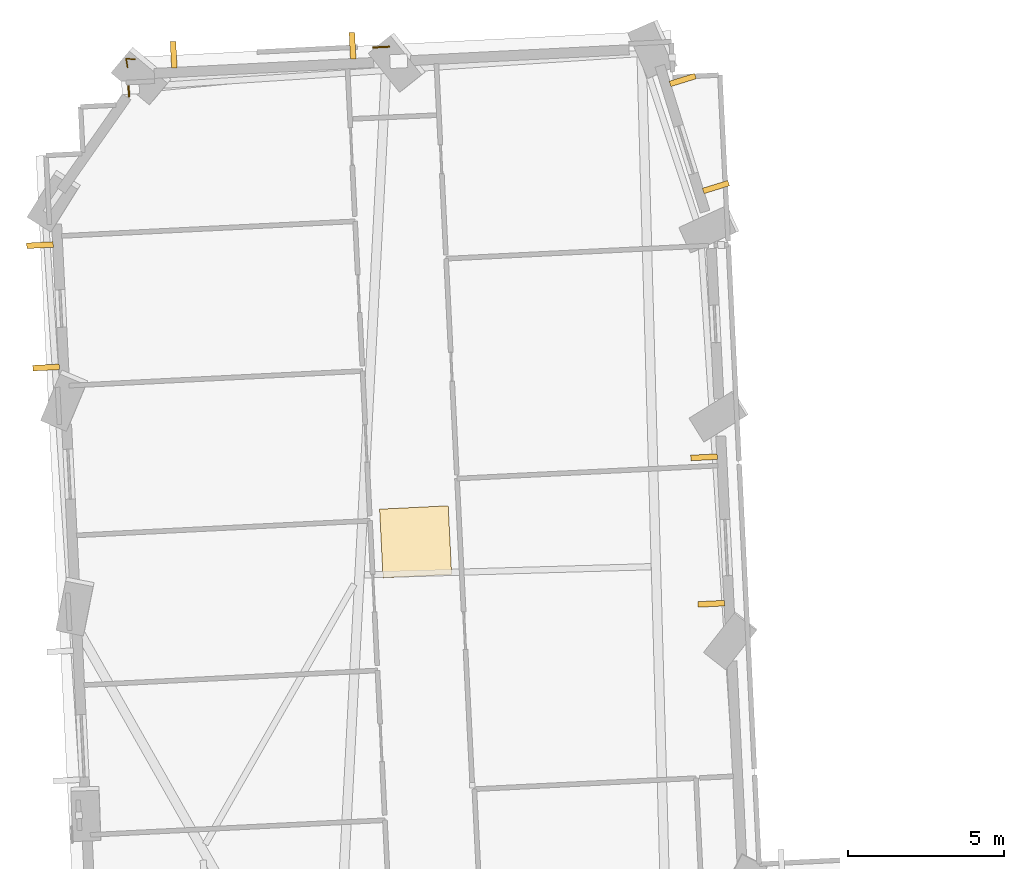
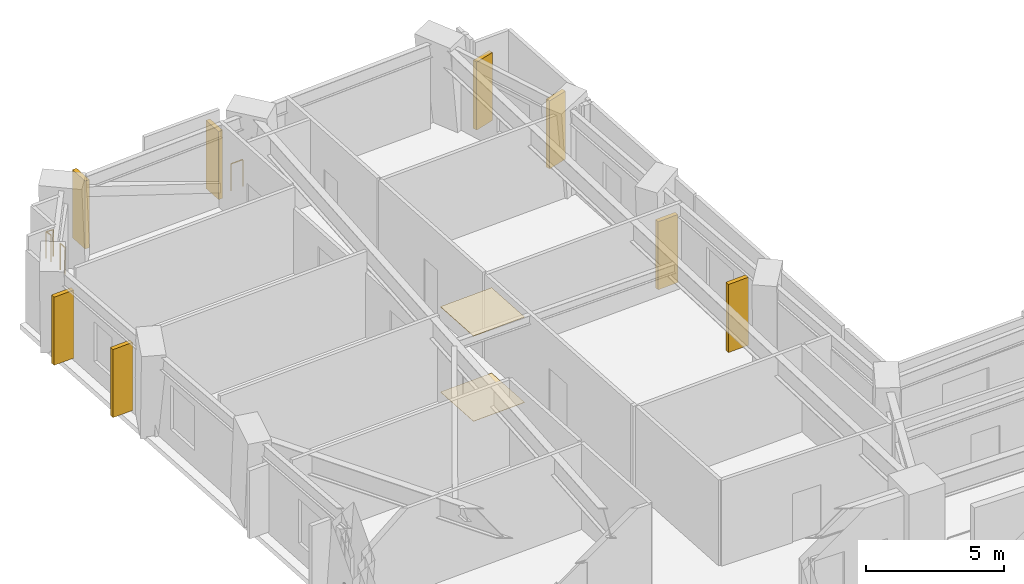
# One storey, part 15 of 15: 8 shading devices, 3 railings, 2 coverings.
"""IFC4 building model written with IfcOpenShell, lengths in metres."""

from ifc_helpers import new_model, si_unit, direction, frame, origin, origin_2d, place, context, subcontext, project, spatial, rectangle, circle, extrude, material, layer, layer_set, type_object, element, save


model = new_model("IFC4")

# Units and contexts
model_context = context("Model", 3, precision=1e-05, world=origin(), true_north=direction((0.0, 1.0)))
body_context = subcontext(model_context, "Body", "Model", "MODEL_VIEW")
ifc_project = project(units=[si_unit("LENGTHUNIT", "METRE"), si_unit("AREAUNIT", "SQUARE_METRE"), si_unit("VOLUMEUNIT", "CUBIC_METRE"), si_unit("PLANEANGLEUNIT", "RADIAN"), si_unit("MASSUNIT", "GRAM", prefix="KILO")], contexts=[model_context])

# Site, building, storey
site_placement = place(None, origin())
site = spatial("IfcSite", under=ifc_project, at=site_placement, CompositionType="ELEMENT")
building_placement = place(site_placement, origin())
building = spatial("IfcBuilding", under=site, at=building_placement, Name="Gaonmaruhae Medical Tower", CompositionType="ELEMENT")
storey_placement = place(building_placement, frame((0.0, 0.0, 35.0)))
storey = spatial("IfcBuildingStorey", under=building, at=storey_placement, Name="L07", CompositionType="ELEMENT", Elevation=35.0)

# Coverings
ifc_material_1 = material(Name="Acoustic mineral ceiling tile", Category="finish")
ifc_layer_1 = layer(ifc_material_1, 0.02490234375)
ifc_layer_set_1 = layer_set([ifc_layer_1], Name="Acoustic mineral ceiling tile")
covering_type_1 = type_object("IfcCoveringType", Name="CLG-01 Antimicrobial Acoustic Mineral Ceiling", PredefinedType="CEILING", material=ifc_layer_set_1)
covering_1_placement = place(storey_placement, frame((16.6455078125, 34.0234375, 3.755126953125), z_axis=(0.0, 0.0, 1.0), x_axis=(0.998763127564, 0.049721373869, 0.0)))
element("IfcCovering", 1, at=covering_1_placement, inside=storey, type_object=covering_type_1, Name="L07 Clinical Corridor Acoustic Ceiling", PredefinedType="CEILING", context=body_context, shape_type="SweptSolid", body=[
    extrude(rectangle(XDim=2.199951171875, YDim=2.199951171875, at=origin_2d()), origin(), (0.0, 0.0, 1.0), 0.02490234375),
])
ifc_material_2 = material(Name="Seamless clinical vinyl flooring", Category="finish")
ifc_layer_2 = layer(ifc_material_2, 0.014892578125)
ifc_layer_set_2 = layer_set([ifc_layer_2], Name="Seamless clinical vinyl flooring")
covering_type_2 = type_object("IfcCoveringType", Name="FLR-01 Seamless Clinical Antistatic Vinyl Flooring", PredefinedType="FLOORING", material=ifc_layer_set_2)
covering_2_placement = place(storey_placement, frame((16.6455078125, 34.0234375, 0.00048828125), z_axis=(0.0, 0.0, 1.0), x_axis=(0.998763127564, 0.049721373869, 0.0)))
element("IfcCovering", 2, at=covering_2_placement, inside=storey, type_object=covering_type_2, Name="L07 Clinical Corridor Vinyl Flooring", PredefinedType="FLOORING", context=body_context, shape_type="SweptSolid", body=[
    extrude(rectangle(XDim=2.199951171875, YDim=2.199951171875, at=origin_2d()), origin(), (0.0, 0.0, 1.0), 0.014892578125),
])

# Railings
ifc_material_3 = material(Name="Stainless steel 316L and laminated safety glass", Category="steel")
ifc_layer_3 = layer(ifc_material_3, 0.080078125)
ifc_layer_set_3 = layer_set([ifc_layer_3], Name="Stainless steel 316L and laminated safety glass")
railing_type = type_object("IfcRailingType", Name="GD-120 Outdoor Terrace Safety Glass & Steel Balustrade", PredefinedType="BALUSTRADE", material=ifc_layer_set_3)
railing_1_placement = place(storey_placement, frame((7.469970703125, 48.283203125, 0.0)))
element("IfcRailing", 3, at=railing_1_placement, inside=storey, type_object=railing_type, Name="L07 Perimeter Slab Edge Safety Balustrade 03", PredefinedType="BALUSTRADE", context=body_context, shape_type="SweptSolid", body=[
    extrude(circle(Radius=0.02392578125, at=origin_2d()), frame((0.0, 0.0, 1.17578125), z_axis=(-0.049341026441, 0.99878198978, 0.0), x_axis=(-0.99878198978, -0.049341026441, 0.0)), (0.0, 0.0, 1.0), 0.32666015625),
    extrude(circle(Radius=0.02099609375, at=origin_2d()), origin(), (0.0, 0.0, 1.0), 1.15185546875),
    extrude(circle(Radius=0.02099609375, at=origin_2d()), frame((-0.01611328125, 0.326171875, 0.0)), (0.0, 0.0, 1.0), 1.15185546875),
])
railing_2_placement = place(storey_placement, frame((15.28759765625, 49.850341796875, 0.0)))
element("IfcRailing", 4, at=railing_2_placement, inside=storey, type_object=railing_type, Name="L07 Perimeter Slab Edge Safety Balustrade 04", PredefinedType="BALUSTRADE", context=body_context, shape_type="SweptSolid", body=[
    extrude(circle(Radius=0.02392578125, at=origin_2d()), frame((0.0, 0.0, 1.17578125), z_axis=(0.998746443899, 0.05005537733, 0.0), x_axis=(-0.05005537733, 0.998746443899, 0.0)), (0.0, 0.0, 1.0), 0.51708984375),
    extrude(circle(Radius=0.02099609375, at=origin_2d()), origin(), (0.0, 0.0, 1.0), 1.15185546875),
    extrude(circle(Radius=0.02099609375, at=origin_2d()), frame((0.516357421875, 0.02587890625, 0.0)), (0.0, 0.0, 1.0), 1.15185546875),
])
railing_3_placement = place(storey_placement, frame((7.424072265625, 49.208740234375, 0.0)))
element("IfcRailing", 5, at=railing_3_placement, inside=storey, type_object=railing_type, Name="L07 Perimeter Corner Safety Balustrade 11", PredefinedType="BALUSTRADE", context=body_context, shape_type="SweptSolid", body=[
    extrude(circle(Radius=0.02392578125, at=origin_2d()), frame((0.0, 0.0, 1.17578125), z_axis=(-0.170874757701, 0.985292757093, 0.0), x_axis=(-0.985292757093, -0.170874757701, 0.0)), (0.0, 0.0, 1.0), 0.287109375),
    extrude(circle(Radius=0.02392578125, at=origin_2d()), frame((-0.049072265625, 0.282958984375, 1.17578125), z_axis=(0.997323148116, -0.073120026205, 0.0), x_axis=(0.073120026205, 0.997323148116, 0.0)), (0.0, 0.0, 1.0), 0.287109375),
    extrude(circle(Radius=0.02099609375, at=origin_2d()), origin(), (0.0, 0.0, 1.0), 1.15185546875),
    extrude(circle(Radius=0.02099609375, at=origin_2d()), frame((-0.049072265625, 0.282958984375, 0.0)), (0.0, 0.0, 1.0), 1.15185546875),
    extrude(circle(Radius=0.02099609375, at=origin_2d()), frame((0.2373046875, 0.261962890625, 0.0)), (0.0, 0.0, 1.0), 1.15185546875),
])

# Shading devices
ifc_material_4 = material(Name="Pigmented coral precast concrete C45/55", Category="concrete")
shading_device_type = type_object("IfcShadingDeviceType", Name="SD-FIN1 Tower Vertical Coral Precast Shading Fin", PredefinedType="USERDEFINED", material=ifc_material_4)
for number, where, z_axis, x_axis, name in (
    (6, (26.115966796875, 32.03759765625, 0.08251953125), (0.0, 0.0, 1.0), (-0.049721373869, 0.998763127564, 0.0), "L07 Vertical Coral Precast Shading Fin NE01"),
    (7, (25.88232421875, 36.728515625, 0.08251953125), (0.0, 0.0, 1.0), (-0.049721373869, 0.998763127564, 0.0), "L07 Vertical Coral Precast Shading Fin NE01B"),
    (8, (25.19873046875, 48.810302734375, 0.08251953125), (0.0, 0.0, 1.0), (0.29622486207, -0.955118228855, 0.0), "L07 Vertical Coral Precast Shading Fin NE03"),
    (9, (26.261962890625, 45.38232421875, 0.08251953125), (0.0, 0.0, 1.0), (0.29622486207, -0.955118228855, 0.0), "L07 Vertical Coral Precast Shading Fin NE03B"),
    (10, (8.898681640625, 49.617431640625, 0.08251953125), (0.0, 0.0, 1.0), (0.998763127564, 0.049721373869, 0.0), "L07 Vertical Coral Precast Shading Fin N02"),
    (11, (14.626220703125, 49.902587890625, 0.08251953125), (0.0, 0.0, 1.0), (0.998763127564, 0.049721373869, 0.0), "L07 Vertical Coral Precast Shading Fin N02B"),
    (12, (4.8134765625, 39.603515625, 0.08251953125), (0.0, 0.0, 1.0), (-0.049721373869, 0.998763127564, 0.0), "L07 Vertical Coral Precast Shading Fin W01"),
    (13, (4.618408203125, 43.521484375, 0.08251953125), (0.0, 0.0, 1.0), (-0.049721373869, 0.998763127564, 0.0), "L07 Vertical Coral Precast Shading Fin W01B"),
):
    element("IfcShadingDevice", number, at=place(storey_placement, frame(where, z_axis=z_axis, x_axis=x_axis)), inside=storey, type_object=shading_device_type, Name=name, ObjectType="FIN", PredefinedType="USERDEFINED", context=body_context, shape_type="SweptSolid", body=[
        extrude(rectangle(XDim=0.179931640625, YDim=0.85009765625, at=origin_2d()), origin(), (0.0, 0.0, 1.0), 3.0),
    ])

save(model, "model.ifc")
